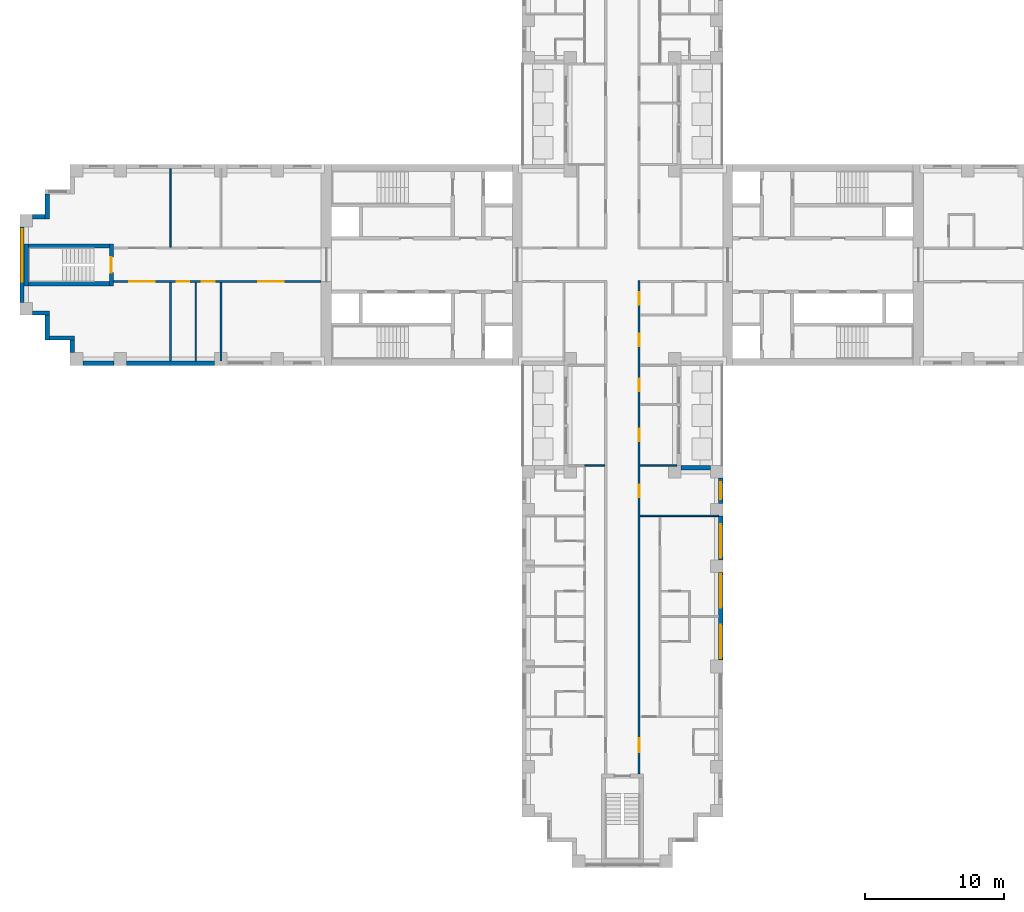
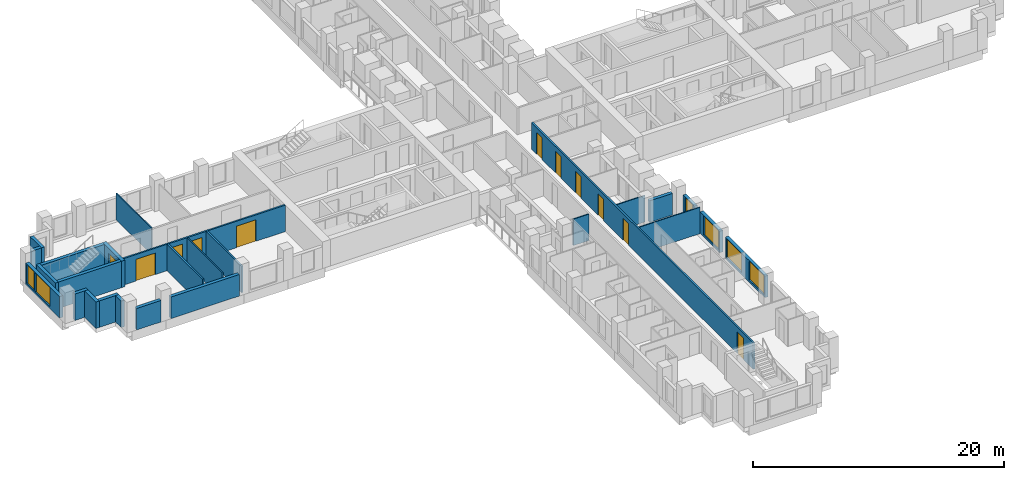
# One storey, part 5 of 15: 26 walls, 11 doors, 6 windows, 17 openings.
"""IFC4 building model written with IfcOpenShell, lengths in metres."""

from ifc_helpers import new_model, si_unit, direction, frame, frame_2d, origin, place, context, subcontext, project, spatial, rectangle, extrude, material, layer, layer_set, type_object, element, fill, save


model = new_model("IFC4")

# Units and contexts
model_context = context("Model", 3, precision=1e-05, world=origin(), true_north=direction((0.0, 1.0)))
body_context = subcontext(model_context, "Body", "Model", "MODEL_VIEW")
ifc_project = project(units=[si_unit("LENGTHUNIT", "METRE"), si_unit("AREAUNIT", "SQUARE_METRE"), si_unit("VOLUMEUNIT", "CUBIC_METRE"), si_unit("PLANEANGLEUNIT", "RADIAN"), si_unit("MASSUNIT", "GRAM", prefix="KILO")], contexts=[model_context])

# Site, building, storey
site_placement = place(None, origin())
site = spatial("IfcSite", under=ifc_project, at=site_placement, CompositionType="ELEMENT")
building_placement = place(site_placement, origin())
building = spatial("IfcBuilding", under=site, at=building_placement, Name="Fustian Cross Tower", CompositionType="ELEMENT")
storey_placement = place(building_placement, frame((0.0, 0.0, 14.699951171875)))
storey = spatial("IfcBuildingStorey", under=building, at=storey_placement, Name="L03", CompositionType="ELEMENT", Elevation=14.699951171875)

# Wall, openings, doors
ifc_material_1 = material(Name="Plasterboard on steel stud", Category="steel")
ifc_layer_1 = layer(ifc_material_1, 0.14990234375)
ifc_layer_set_1 = layer_set([ifc_layer_1], Name="Plasterboard on steel stud")
wall_type_1 = type_object("IfcWallType", Name="COMPARTMENT WALL 150 EI 60", PredefinedType="PARTITIONING", material=ifc_layer_set_1)
wall_1_placement = place(storey_placement, frame((-36.5, -1.199951171875, 0.0), z_axis=(0.0, 0.0, 1.0), x_axis=(1.0, 0.0, 0.0)))
wall_1 = element("IfcWall", 1, at=wall_1_placement, inside=storey, type_object=wall_type_1, Name="Partition 1", PredefinedType="PARTITIONING", context=body_context, shape_type="SweptSolid", body=[
    extrude(rectangle(XDim=14.89990234375, YDim=0.14990234375, at=frame_2d((7.449951171875, 0.0))), origin(), (0.0, 0.0, 1.0), 2.574951171875),
])
opening_1_placement = place(wall_1_placement, frame((10.39990234375, 0.0, 0.0)))
opening_1 = element("IfcOpeningElement", 2, at=opening_1_placement, cuts=wall_1, Name="Opening D04048", PredefinedType="OPENING", context=body_context, shape_type="SweptSolid", body=[
    extrude(rectangle(XDim=1.800048828125, YDim=2.10009765625, at=frame_2d((0.89990234375, 1.050048828125))), frame((0.0, 0.0849609375, 0.0), z_axis=(0.0, -1.0, 0.0), x_axis=(1.0, 0.0, 0.0)), (0.0, 0.0, 1.0), 0.169921875),
])
opening_2_placement = place(wall_1_placement, frame((6.35009765625, 0.0, 0.0)))
opening_2 = element("IfcOpeningElement", 3, at=opening_2_placement, cuts=wall_1, Name="Opening D04049", PredefinedType="OPENING", context=body_context, shape_type="SweptSolid", body=[
    extrude(rectangle(XDim=0.89990234375, YDim=2.10009765625, at=frame_2d((0.449951171875, 1.050048828125))), frame((0.0, 0.0849609375, 0.0), z_axis=(0.0, -1.0, 0.0), x_axis=(1.0, 0.0, 0.0)), (0.0, 0.0, 1.0), 0.169921875),
])
opening_3_placement = place(wall_1_placement, frame((4.550048828125, 0.0, 0.0)))
opening_3 = element("IfcOpeningElement", 4, at=opening_3_placement, cuts=wall_1, Name="Opening D04050", PredefinedType="OPENING", context=body_context, shape_type="SweptSolid", body=[
    extrude(rectangle(XDim=0.89990234375, YDim=2.10009765625, at=frame_2d((0.449951171875, 1.050048828125))), frame((0.0, 0.0849609375, 0.0), z_axis=(0.0, -1.0, 0.0), x_axis=(1.0, 0.0, 0.0)), (0.0, 0.0, 1.0), 0.169921875),
])
opening_4_placement = place(wall_1_placement, frame((1.14990234375, 0.0, 0.0)))
opening_4 = element("IfcOpeningElement", 5, at=opening_4_placement, cuts=wall_1, Name="Opening D04051", PredefinedType="OPENING", context=body_context, shape_type="SweptSolid", body=[
    extrude(rectangle(XDim=1.800048828125, YDim=2.10009765625, at=frame_2d((0.89990234375, 1.050048828125))), frame((0.0, 0.0849609375, 0.0), z_axis=(0.0, -1.0, 0.0), x_axis=(1.0, 0.0, 0.0)), (0.0, 0.0, 1.0), 0.169921875),
])
ifc_material_2 = material(Name="Timber fire door set", Category="wood")
door_type_1 = type_object("IfcDoorType", Name="FIRE DOUBLE DOOR 1800 FD30S", OperationType="DOUBLE_DOOR_DOUBLE_SWING", PredefinedType="DOOR", material=ifc_material_2)
door_1_placement = place(opening_1_placement, origin())
door_1 = element("IfcDoor", 6, at=door_1_placement, inside=storey, type_object=door_type_1, Name="Door D04048", OperationType="DOUBLE_DOOR_DOUBLE_SWING", OverallHeight=2.10009765625, OverallWidth=1.800048828125, PredefinedType="DOOR", context=body_context, shape_type="SweptSolid", body=[
    extrude(rectangle(XDim=1.800048828125, YDim=2.10009765625, at=frame_2d((0.89990234375, 1.050048828125))), frame((0.0, 0.02490234375, 0.0), z_axis=(0.0, -1.0, 0.0), x_axis=(1.0, 0.0, 0.0)), (0.0, 0.0, 1.0), 0.050048828125),
])
fill(opening_1, door_1)
door_2_placement = place(opening_4_placement, origin())
door_2 = element("IfcDoor", 7, at=door_2_placement, inside=storey, type_object=door_type_1, Name="Door D04051", OperationType="DOUBLE_DOOR_DOUBLE_SWING", OverallHeight=2.10009765625, OverallWidth=1.800048828125, PredefinedType="DOOR", context=body_context, shape_type="SweptSolid", body=[
    extrude(rectangle(XDim=1.800048828125, YDim=2.10009765625, at=frame_2d((0.89990234375, 1.050048828125))), frame((0.0, 0.02490234375, 0.0), z_axis=(0.0, -1.0, 0.0), x_axis=(1.0, 0.0, 0.0)), (0.0, 0.0, 1.0), 0.050048828125),
])
fill(opening_4, door_2)
ifc_material_3 = material(Name="Timber fire door set", Category="wood")
door_type_2 = type_object("IfcDoorType", Name="FIRE SWING DOOR 900 FD30S", OperationType="SINGLE_SWING_LEFT", PredefinedType="DOOR", material=ifc_material_3)
door_3_placement = place(opening_2_placement, frame((0.89990234375, 0.0, 0.0), z_axis=(0.0, 0.0, 1.0), x_axis=(-1.0, 0.0, 0.0)))
door_3 = element("IfcDoor", 8, at=door_3_placement, inside=storey, type_object=door_type_2, Name="Door D04049", OperationType="SINGLE_SWING_LEFT", OverallHeight=2.10009765625, OverallWidth=0.89990234375, PredefinedType="DOOR", context=body_context, shape_type="SweptSolid", body=[
    extrude(rectangle(XDim=0.89990234375, YDim=2.10009765625, at=frame_2d((0.449951171875, 1.050048828125))), frame((0.0, 0.02490234375, 0.0), z_axis=(0.0, -1.0, 0.0), x_axis=(1.0, 0.0, 0.0)), (0.0, 0.0, 1.0), 0.050048828125),
])
fill(opening_2, door_3)
door_4_placement = place(opening_3_placement, frame((0.89990234375, 0.0, 0.0), z_axis=(0.0, 0.0, 1.0), x_axis=(-1.0, 0.0, 0.0)))
door_4 = element("IfcDoor", 9, at=door_4_placement, inside=storey, type_object=door_type_2, Name="Door D04050", OperationType="SINGLE_SWING_LEFT", OverallHeight=2.10009765625, OverallWidth=0.89990234375, PredefinedType="DOOR", context=body_context, shape_type="SweptSolid", body=[
    extrude(rectangle(XDim=0.89990234375, YDim=2.10009765625, at=frame_2d((0.449951171875, 1.050048828125))), frame((0.0, 0.02490234375, 0.0), z_axis=(0.0, -1.0, 0.0), x_axis=(1.0, 0.0, 0.0)), (0.0, 0.0, 1.0), 0.050048828125),
])
fill(opening_3, door_4)

# Walls
for number, where, z_axis, x_axis, name in (
    (10, (-32.39990234375, -6.89990234375, 0.0), (0.0, 0.0, 1.0), (0.0, 1.0, 0.0), "Partition 3"),
    (11, (-28.800048828125, -6.89990234375, 0.0), (0.0, 0.0, 1.0), (0.0, 1.0, 0.0), "Partition 6"),
):
    element("IfcWall", number, at=place(storey_placement, frame(where, z_axis=z_axis, x_axis=x_axis)), inside=storey, type_object=wall_type_1, Name=name, PredefinedType="PARTITIONING", context=body_context, shape_type="SweptSolid", body=[
        extrude(rectangle(XDim=5.625, YDim=0.14990234375, at=frame_2d((2.8125, 0.0))), origin(), (0.0, 0.0, 1.0), 2.574951171875),
    ])

# Wall, openings, doors
wall_2_placement = place(storey_placement, frame((1.199951171875, -36.5, 0.0), z_axis=(0.0, 0.0, 1.0), x_axis=(0.0, 1.0, 0.0)))
wall_2 = element("IfcWall", 12, at=wall_2_placement, inside=storey, type_object=wall_type_1, Name="Partition 56", PredefinedType="PARTITIONING", context=body_context, shape_type="SweptSolid", body=[
    extrude(rectangle(XDim=35.375, YDim=0.14990234375, at=frame_2d((17.6875, 0.0))), origin(), (0.0, 0.0, 1.0), 2.574951171875),
])
opening_5_placement = place(wall_2_placement, frame((33.64990234375, 0.0, 0.0)))
opening_5 = element("IfcOpeningElement", 13, at=opening_5_placement, cuts=wall_2, Name="Opening D04005", PredefinedType="OPENING", context=body_context, shape_type="SweptSolid", body=[
    extrude(rectangle(XDim=0.89990234375, YDim=2.10009765625, at=frame_2d((0.449951171875, 1.050048828125))), frame((0.0, 0.0849609375, 0.0), z_axis=(0.0, -1.0, 0.0), x_axis=(1.0, 0.0, 0.0)), (0.0, 0.0, 1.0), 0.169921875),
])
opening_6_placement = place(wall_2_placement, frame((30.64990234375, 0.0, 0.0)))
opening_6 = element("IfcOpeningElement", 14, at=opening_6_placement, cuts=wall_2, Name="Opening D04007", PredefinedType="OPENING", context=body_context, shape_type="SweptSolid", body=[
    extrude(rectangle(XDim=0.89990234375, YDim=2.10009765625, at=frame_2d((0.449951171875, 1.050048828125))), frame((0.0, 0.0849609375, 0.0), z_axis=(0.0, -1.0, 0.0), x_axis=(1.0, 0.0, 0.0)), (0.0, 0.0, 1.0), 0.169921875),
])
opening_7_placement = place(wall_2_placement, frame((27.449951171875, 0.0, 0.0)))
opening_7 = element("IfcOpeningElement", 15, at=opening_7_placement, cuts=wall_2, Name="Opening D04055", PredefinedType="OPENING", context=body_context, shape_type="SweptSolid", body=[
    extrude(rectangle(XDim=0.89990234375, YDim=2.10009765625, at=frame_2d((0.449951171875, 1.050048828125))), frame((0.0, 0.0849609375, 0.0), z_axis=(0.0, -1.0, 0.0), x_axis=(1.0, 0.0, 0.0)), (0.0, 0.0, 1.0), 0.169921875),
])
opening_8_placement = place(wall_2_placement, frame((23.85009765625, 0.0, 0.0)))
opening_8 = element("IfcOpeningElement", 16, at=opening_8_placement, cuts=wall_2, Name="Opening D04056", PredefinedType="OPENING", context=body_context, shape_type="SweptSolid", body=[
    extrude(rectangle(XDim=0.89990234375, YDim=2.10009765625, at=frame_2d((0.449951171875, 1.050048828125))), frame((0.0, 0.0849609375, 0.0), z_axis=(0.0, -1.0, 0.0), x_axis=(1.0, 0.0, 0.0)), (0.0, 0.0, 1.0), 0.169921875),
])
opening_9_placement = place(wall_2_placement, frame((19.85009765625, 0.0, 0.0)))
opening_9 = element("IfcOpeningElement", 17, at=opening_9_placement, cuts=wall_2, Name="Opening D04057", PredefinedType="OPENING", context=body_context, shape_type="SweptSolid", body=[
    extrude(rectangle(XDim=0.89990234375, YDim=2.10009765625, at=frame_2d((0.449951171875, 1.050048828125))), frame((0.0, 0.0849609375, 0.0), z_axis=(0.0, -1.0, 0.0), x_axis=(1.0, 0.0, 0.0)), (0.0, 0.0, 1.0), 0.169921875),
])
opening_10_placement = place(wall_2_placement, frame((1.550048828125, 0.0, 0.0)))
opening_10 = element("IfcOpeningElement", 18, at=opening_10_placement, cuts=wall_2, Name="Opening D04059", PredefinedType="OPENING", context=body_context, shape_type="SweptSolid", body=[
    extrude(rectangle(XDim=1.0, YDim=2.10009765625, at=frame_2d((0.5, 1.050048828125))), frame((0.0, 0.0849609375, 0.0), z_axis=(0.0, -1.0, 0.0), x_axis=(1.0, 0.0, 0.0)), (0.0, 0.0, 1.0), 0.169921875),
])
ifc_material_4 = material(Name="Timber fire door set", Category="wood")
door_type_3 = type_object("IfcDoorType", Name="FIRE SWING DOOR 1000 FD30S", OperationType="SINGLE_SWING_LEFT", PredefinedType="DOOR", material=ifc_material_4)
door_5_placement = place(opening_10_placement, frame((1.0, 0.0, 0.0), z_axis=(0.0, 0.0, 1.0), x_axis=(-1.0, 0.0, 0.0)))
door_5 = element("IfcDoor", 19, at=door_5_placement, inside=storey, type_object=door_type_3, Name="Door D04059", OperationType="SINGLE_SWING_LEFT", OverallHeight=2.10009765625, OverallWidth=1.0, PredefinedType="DOOR", context=body_context, shape_type="SweptSolid", body=[
    extrude(rectangle(XDim=1.0, YDim=2.10009765625, at=frame_2d((0.5, 1.050048828125))), frame((0.0, 0.02490234375, 0.0), z_axis=(0.0, -1.0, 0.0), x_axis=(1.0, 0.0, 0.0)), (0.0, 0.0, 1.0), 0.050048828125),
])
fill(opening_10, door_5)
door_6_placement = place(opening_5_placement, frame((0.89990234375, 0.0, 0.0), z_axis=(0.0, 0.0, 1.0), x_axis=(-1.0, 0.0, 0.0)))
door_6 = element("IfcDoor", 20, at=door_6_placement, inside=storey, type_object=door_type_2, Name="Door D04005", OperationType="SINGLE_SWING_RIGHT", OverallHeight=2.10009765625, OverallWidth=0.89990234375, PredefinedType="DOOR", context=body_context, shape_type="SweptSolid", body=[
    extrude(rectangle(XDim=0.89990234375, YDim=2.10009765625, at=frame_2d((0.449951171875, 1.050048828125))), frame((0.0, 0.02490234375, 0.0), z_axis=(0.0, -1.0, 0.0), x_axis=(1.0, 0.0, 0.0)), (0.0, 0.0, 1.0), 0.050048828125),
])
fill(opening_5, door_6)
door_7_placement = place(opening_6_placement, frame((0.89990234375, 0.0, 0.0), z_axis=(0.0, 0.0, 1.0), x_axis=(-1.0, 0.0, 0.0)))
door_7 = element("IfcDoor", 21, at=door_7_placement, inside=storey, type_object=door_type_2, Name="Door D04007", OperationType="SINGLE_SWING_RIGHT", OverallHeight=2.10009765625, OverallWidth=0.89990234375, PredefinedType="DOOR", context=body_context, shape_type="SweptSolid", body=[
    extrude(rectangle(XDim=0.89990234375, YDim=2.10009765625, at=frame_2d((0.449951171875, 1.050048828125))), frame((0.0, 0.02490234375, 0.0), z_axis=(0.0, -1.0, 0.0), x_axis=(1.0, 0.0, 0.0)), (0.0, 0.0, 1.0), 0.050048828125),
])
fill(opening_6, door_7)
door_8_placement = place(opening_7_placement, frame((0.89990234375, 0.0, 0.0), z_axis=(0.0, 0.0, 1.0), x_axis=(-1.0, 0.0, 0.0)))
door_8 = element("IfcDoor", 22, at=door_8_placement, inside=storey, type_object=door_type_2, Name="Door D04055", OperationType="SINGLE_SWING_RIGHT", OverallHeight=2.10009765625, OverallWidth=0.89990234375, PredefinedType="DOOR", context=body_context, shape_type="SweptSolid", body=[
    extrude(rectangle(XDim=0.89990234375, YDim=2.10009765625, at=frame_2d((0.449951171875, 1.050048828125))), frame((0.0, 0.02490234375, 0.0), z_axis=(0.0, -1.0, 0.0), x_axis=(1.0, 0.0, 0.0)), (0.0, 0.0, 1.0), 0.050048828125),
])
fill(opening_7, door_8)
door_9_placement = place(opening_8_placement, frame((0.89990234375, 0.0, 0.0), z_axis=(0.0, 0.0, 1.0), x_axis=(-1.0, 0.0, 0.0)))
door_9 = element("IfcDoor", 23, at=door_9_placement, inside=storey, type_object=door_type_2, Name="Door D04056", OperationType="SINGLE_SWING_RIGHT", OverallHeight=2.10009765625, OverallWidth=0.89990234375, PredefinedType="DOOR", context=body_context, shape_type="SweptSolid", body=[
    extrude(rectangle(XDim=0.89990234375, YDim=2.10009765625, at=frame_2d((0.449951171875, 1.050048828125))), frame((0.0, 0.02490234375, 0.0), z_axis=(0.0, -1.0, 0.0), x_axis=(1.0, 0.0, 0.0)), (0.0, 0.0, 1.0), 0.050048828125),
])
fill(opening_8, door_9)
door_10_placement = place(opening_9_placement, frame((0.89990234375, 0.0, 0.0), z_axis=(0.0, 0.0, 1.0), x_axis=(-1.0, 0.0, 0.0)))
door_10 = element("IfcDoor", 24, at=door_10_placement, inside=storey, type_object=door_type_2, Name="Door D04057", OperationType="SINGLE_SWING_RIGHT", OverallHeight=2.10009765625, OverallWidth=0.89990234375, PredefinedType="DOOR", context=body_context, shape_type="SweptSolid", body=[
    extrude(rectangle(XDim=0.89990234375, YDim=2.10009765625, at=frame_2d((0.449951171875, 1.050048828125))), frame((0.0, 0.02490234375, 0.0), z_axis=(0.0, -1.0, 0.0), x_axis=(1.0, 0.0, 0.0)), (0.0, 0.0, 1.0), 0.050048828125),
])
fill(opening_9, door_10)

# Walls
ifc_material_5 = material(Name="Plasterboard on steel stud", Category="steel")
ifc_layer_2 = layer(ifc_material_5, 0.10009765625)
ifc_layer_set_2 = layer_set([ifc_layer_2], Name="Plasterboard on steel stud")
wall_type_2 = type_object("IfcWallType", Name="PARTITION 100 STUD", PredefinedType="PARTITIONING", material=ifc_layer_set_2)
for number, where, z_axis, x_axis, name in (
    (25, (-32.39990234375, 1.27490234375, 0.0), (0.0, 0.0, 1.0), (0.0, 1.0, 0.0), "Partition 4"),
    (26, (-30.60009765625, -6.89990234375, 0.0), (0.0, 0.0, 1.0), (0.0, 1.0, 0.0), "Partition 5"),
):
    element("IfcWall", number, at=place(storey_placement, frame(where, z_axis=z_axis, x_axis=x_axis)), inside=storey, type_object=wall_type_2, Name=name, PredefinedType="PARTITIONING", context=body_context, shape_type="SweptSolid", body=[
        extrude(rectangle(XDim=5.625, YDim=0.10009765625, at=frame_2d((2.8125, 0.0))), origin(), (0.0, 0.0, 1.0), 2.574951171875),
    ])
wall_3_placement = place(storey_placement, frame((-2.699951171875, -14.39990234375, 0.0), z_axis=(0.0, 0.0, 1.0), x_axis=(1.0, 0.0, 0.0)))
element("IfcWall", 27, at=wall_3_placement, inside=storey, type_object=wall_type_2, Name="Partition 51", PredefinedType="PARTITIONING", context=body_context, shape_type="SweptSolid", body=[
    extrude(rectangle(XDim=1.425048828125, YDim=0.10009765625, at=frame_2d((0.71240234375, 0.0))), origin(), (0.0, 0.0, 1.0), 2.574951171875),
])
wall_4_placement = place(storey_placement, frame((1.27490234375, -18.0, 0.0), z_axis=(0.0, 0.0, 1.0), x_axis=(1.0, 0.0, 0.0)))
element("IfcWall", 28, at=wall_4_placement, inside=storey, type_object=wall_type_2, Name="Partition 58", PredefinedType="PARTITIONING", context=body_context, shape_type="SweptSolid", body=[
    extrude(rectangle(XDim=5.625, YDim=0.10009765625, at=frame_2d((2.8125, 0.0))), origin(), (0.0, 0.0, 1.0), 2.574951171875),
])
wall_5_placement = place(storey_placement, frame((1.27490234375, -14.39990234375, 0.0), z_axis=(0.0, 0.0, 1.0), x_axis=(1.0, 0.0, 0.0)))
element("IfcWall", 29, at=wall_5_placement, inside=storey, type_object=wall_type_2, Name="Partition 59", PredefinedType="PARTITIONING", context=body_context, shape_type="SweptSolid", body=[
    extrude(rectangle(XDim=2.625, YDim=0.10009765625, at=frame_2d((1.3125, 0.0))), origin(), (0.0, 0.0, 1.0), 2.574951171875),
])

# Wall, opening, door
ifc_material_6 = material(Name="Concrete C50/60", Category="concrete")
ifc_layer_3 = layer(ifc_material_6, 0.300048828125)
ifc_layer_set_3 = layer_set([ifc_layer_3], Name="Concrete C50/60")
wall_type_3 = type_object("IfcWallType", Name="STAIR ENCLOSURE WALL 300 C50/60", PredefinedType="SHEAR", material=ifc_layer_set_3)
wall_6_placement = place(storey_placement, frame((-36.64990234375, -1.5, 0.0), z_axis=(0.0, 0.0, 1.0), x_axis=(0.0, 1.0, 0.0)))
wall_6 = element("IfcWall", 30, at=wall_6_placement, inside=storey, type_object=wall_type_3, Name="Stair enclosure wall", PredefinedType="SHEAR", context=body_context, shape_type="SweptSolid", body=[
    extrude(rectangle(XDim=3.0, YDim=0.300048828125, at=frame_2d((1.5, 0.0))), origin(), (0.0, 0.0, 1.0), 2.574951171875),
])
opening_11_placement = place(wall_6_placement, frame((0.949951171875, 0.0, 0.0)))
opening_11 = element("IfcOpeningElement", 31, at=opening_11_placement, cuts=wall_6, Name="Opening CD-04-32", PredefinedType="OPENING", context=body_context, shape_type="SweptSolid", body=[
    extrude(rectangle(XDim=1.10009765625, YDim=2.10009765625, at=frame_2d((0.550048828125, 1.050048828125))), frame((0.0, 0.159912109375, 0.0), z_axis=(0.0, -1.0, 0.0), x_axis=(1.0, 0.0, 0.0)), (0.0, 0.0, 1.0), 0.320068359375),
])
ifc_material_7 = material(Name="Steel", Category="steel")
door_type_4 = type_object("IfcDoorType", Name="FIRE DOOR FD60S 1100X2100", OperationType="SINGLE_SWING_LEFT", PredefinedType="DOOR", material=ifc_material_7)
door_11_placement = place(opening_11_placement, origin())
door_11 = element("IfcDoor", 32, at=door_11_placement, inside=storey, type_object=door_type_4, Name="Core door CD-04-32", OperationType="SINGLE_SWING_LEFT", OverallHeight=2.10009765625, OverallWidth=1.10009765625, PredefinedType="DOOR", context=body_context, shape_type="SweptSolid", body=[
    extrude(rectangle(XDim=1.10009765625, YDim=2.10009765625, at=frame_2d((0.550048828125, 1.050048828125))), frame((0.0, 0.02490234375, 0.0), z_axis=(0.0, -1.0, 0.0), x_axis=(1.0, 0.0, 0.0)), (0.0, 0.0, 1.0), 0.050048828125),
])
fill(opening_11, door_11)

# Walls
wall_7_placement = place(storey_placement, frame((-42.75, -1.5, 0.0), z_axis=(0.0, 0.0, 1.0), x_axis=(0.0, 1.0, 0.0)))
element("IfcWall", 33, at=wall_7_placement, inside=storey, type_object=wall_type_3, Name="Stair enclosure wall", PredefinedType="SHEAR", context=body_context, shape_type="SweptSolid", body=[
    extrude(rectangle(XDim=3.0, YDim=0.300048828125, at=frame_2d((1.5, 0.0))), origin(), (0.0, 0.0, 1.0), 2.574951171875),
])
for number, where, z_axis, x_axis, name in (
    (34, (-36.800048828125, -1.35009765625, 0.0), (0.0, 0.0, 1.0), (-1.0, 0.0, 0.0), "Stair enclosure wall"),
    (35, (-36.800048828125, 1.35009765625, 0.0), (0.0, 0.0, 1.0), (-1.0, 0.0, 0.0), "Stair enclosure wall"),
):
    element("IfcWall", number, at=place(storey_placement, frame(where, z_axis=z_axis, x_axis=x_axis)), inside=storey, type_object=wall_type_3, Name=name, PredefinedType="SHEAR", context=body_context, shape_type="SweptSolid", body=[
        extrude(rectangle(XDim=5.800048828125, YDim=0.300048828125, at=frame_2d((2.89990234375, 0.0))), origin(), (0.0, 0.0, 1.0), 2.574951171875),
    ])
ifc_material_8 = material(Name="Dark aluminium cladding on insulated backing wall", Category="aluminium")
ifc_layer_4 = layer(ifc_material_8, 0.300048828125)
ifc_layer_set_4 = layer_set([ifc_layer_4], Name="Dark aluminium cladding on insulated backing wall")
wall_type_4 = type_object("IfcWallType", Name="XW1 EXTERNAL WALL 300", PredefinedType="SOLIDWALL", material=ifc_layer_set_4)
wall_8_placement = place(storey_placement, frame((-41.25, 5.10009765625, 0.0), z_axis=(0.0, 0.0, 1.0), x_axis=(0.0, -1.0, 0.0)))
element("IfcWall", 36, at=wall_8_placement, inside=storey, type_object=wall_type_4, Name="External wall", PredefinedType="SOLIDWALL", context=body_context, shape_type="SweptSolid", body=[
    extrude(rectangle(XDim=1.800048828125, YDim=0.300048828125, at=frame_2d((0.89990234375, 0.0))), origin(), (0.0, 0.0, 1.0), 2.574951171875),
])
wall_9_placement = place(storey_placement, frame((-41.39990234375, 3.449951171875, 0.0), z_axis=(0.0, 0.0, 1.0), x_axis=(-1.0, 0.0, 0.0)))
element("IfcWall", 37, at=wall_9_placement, inside=storey, type_object=wall_type_4, Name="External wall", PredefinedType="SOLIDWALL", context=body_context, shape_type="SweptSolid", body=[
    extrude(rectangle(XDim=0.900146484375, YDim=0.300048828125, at=frame_2d((0.4501953125, 0.0))), origin(), (0.0, 0.0, 1.0), 2.574951171875),
])

# Wall, openings, windows
wall_10_placement = place(storey_placement, frame((-43.050048828125, 2.699951171875, 0.0), z_axis=(0.0, 0.0, 1.0), x_axis=(0.0, -1.0, 0.0)))
wall_10 = element("IfcWall", 38, at=wall_10_placement, inside=storey, type_object=wall_type_4, Name="External wall", PredefinedType="SOLIDWALL", context=body_context, shape_type="SweptSolid", body=[
    extrude(rectangle(XDim=5.39990234375, YDim=0.300048828125, at=frame_2d((2.699951171875, 0.0))), origin(), (0.0, 0.0, 1.0), 2.10009765625),
])
opening_12_placement = place(wall_10_placement, frame((1.5, 0.0, 0.199951171875)))
opening_12 = element("IfcOpeningElement", 39, at=opening_12_placement, cuts=wall_10, Name="Opening WN1", PredefinedType="OPENING", context=body_context, shape_type="SweptSolid", body=[
    extrude(rectangle(XDim=2.39990234375, YDim=1.85009765625, at=frame_2d((1.199951171875, 0.925048828125))), frame((0.0, 0.159912109375, 0.0), z_axis=(0.0, -1.0, 0.0), x_axis=(1.0, 0.0, 0.0)), (0.0, 0.0, 1.0), 0.320068359375),
])
opening_13_placement = place(wall_10_placement, frame((0.14990234375, 0.0, 0.199951171875)))
opening_13 = element("IfcOpeningElement", 40, at=opening_13_placement, cuts=wall_10, Name="Opening WN3", PredefinedType="OPENING", context=body_context, shape_type="SweptSolid", body=[
    extrude(rectangle(XDim=1.199951171875, YDim=1.85009765625, at=frame_2d((0.60009765625, 0.925048828125))), frame((0.0, 0.159912109375, 0.0), z_axis=(0.0, -1.0, 0.0), x_axis=(1.0, 0.0, 0.0)), (0.0, 0.0, 1.0), 0.320068359375),
])
ifc_material_9 = material(Name="Dark anodised aluminium and double glazing", Category="aluminium")
window_type_1 = type_object("IfcWindowType", Name="WN1 WINDOW 2400X1850", PartitioningType="SINGLE_PANEL", PredefinedType="WINDOW", material=ifc_material_9)
window_1_placement = place(opening_12_placement, origin())
window_1 = element("IfcWindow", 41, at=window_1_placement, inside=storey, type_object=window_type_1, Name="Window", OverallHeight=1.85009765625, OverallWidth=2.39990234375, PartitioningType="SINGLE_PANEL", PredefinedType="WINDOW", context=body_context, shape_type="SweptSolid", body=[
    extrude(rectangle(XDim=2.39990234375, YDim=1.85009765625, at=frame_2d((1.199951171875, 0.925048828125))), frame((0.0, 0.030029296875, 0.0), z_axis=(0.0, -1.0, 0.0), x_axis=(1.0, 0.0, 0.0)), (0.0, 0.0, 1.0), 0.06005859375),
])
fill(opening_12, window_1)
ifc_material_10 = material(Name="Dark anodised aluminium and double glazing", Category="aluminium")
window_type_2 = type_object("IfcWindowType", Name="WN3 WINDOW 1200X1850", PartitioningType="SINGLE_PANEL", PredefinedType="WINDOW", material=ifc_material_10)
window_2_placement = place(opening_13_placement, origin())
window_2 = element("IfcWindow", 42, at=window_2_placement, inside=storey, type_object=window_type_2, Name="Window", OverallHeight=1.85009765625, OverallWidth=1.199951171875, PartitioningType="SINGLE_PANEL", PredefinedType="WINDOW", context=body_context, shape_type="SweptSolid", body=[
    extrude(rectangle(XDim=1.199951171875, YDim=1.85009765625, at=frame_2d((0.60009765625, 0.925048828125))), frame((0.0, 0.030029296875, 0.0), z_axis=(0.0, -1.0, 0.0), x_axis=(1.0, 0.0, 0.0)), (0.0, 0.0, 1.0), 0.06005859375),
])
fill(opening_13, window_2)

# Walls
wall_11_placement = place(storey_placement, frame((-42.300048828125, -3.449951171875, 0.0), z_axis=(0.0, 0.0, 1.0), x_axis=(1.0, 0.0, 0.0)))
element("IfcWall", 43, at=wall_11_placement, inside=storey, type_object=wall_type_4, Name="External wall", PredefinedType="SOLIDWALL", context=body_context, shape_type="SweptSolid", body=[
    extrude(rectangle(XDim=1.199951171875, YDim=0.300048828125, at=frame_2d((0.60009765625, 0.0))), origin(), (0.0, 0.0, 1.0), 2.574951171875),
])
wall_12_placement = place(storey_placement, frame((-41.25, -3.60009765625, 0.0), z_axis=(0.0, 0.0, 1.0), x_axis=(0.0, -1.0, 0.0)))
element("IfcWall", 44, at=wall_12_placement, inside=storey, type_object=wall_type_4, Name="External wall", PredefinedType="SOLIDWALL", context=body_context, shape_type="SweptSolid", body=[
    extrude(rectangle(XDim=1.7998046875, YDim=0.300048828125, at=frame_2d((0.89990234375, 0.0))), origin(), (0.0, 0.0, 1.0), 2.574951171875),
])
wall_13_placement = place(storey_placement, frame((-41.10009765625, -5.25, 0.0), z_axis=(0.0, 0.0, 1.0), x_axis=(1.0, 0.0, 0.0)))
element("IfcWall", 45, at=wall_13_placement, inside=storey, type_object=wall_type_4, Name="External wall", PredefinedType="SOLIDWALL", context=body_context, shape_type="SweptSolid", body=[
    extrude(rectangle(XDim=1.800048828125, YDim=0.300048828125, at=frame_2d((0.89990234375, 0.0))), origin(), (0.0, 0.0, 1.0), 2.574951171875),
])
wall_14_placement = place(storey_placement, frame((-39.449951171875, -5.39990234375, 0.0), z_axis=(0.0, 0.0, 1.0), x_axis=(0.0, -1.0, 0.0)))
element("IfcWall", 46, at=wall_14_placement, inside=storey, type_object=wall_type_4, Name="External wall", PredefinedType="SOLIDWALL", context=body_context, shape_type="SweptSolid", body=[
    extrude(rectangle(XDim=0.900146484375, YDim=0.300048828125, at=frame_2d((0.4501953125, 0.0))), origin(), (0.0, 0.0, 1.0), 2.574951171875),
])
wall_15_placement = place(storey_placement, frame((-38.699951171875, -7.050048828125, 0.0), z_axis=(0.0, 0.0, 1.0), x_axis=(1.0, 0.0, 0.0)))
element("IfcWall", 47, at=wall_15_placement, inside=storey, type_object=wall_type_4, Name="External wall", PredefinedType="SOLIDWALL", context=body_context, shape_type="SweptSolid", body=[
    extrude(rectangle(XDim=2.25, YDim=0.300048828125, at=frame_2d((1.125, 0.0))), origin(), (0.0, 0.0, 1.0), 2.10009765625),
])
wall_16_placement = place(storey_placement, frame((-35.550048828125, -7.050048828125, 0.0), z_axis=(0.0, 0.0, 1.0), x_axis=(1.0, 0.0, 0.0)))
element("IfcWall", 48, at=wall_16_placement, inside=storey, type_object=wall_type_4, Name="External wall", PredefinedType="SOLIDWALL", context=body_context, shape_type="SweptSolid", body=[
    extrude(rectangle(XDim=6.300048828125, YDim=0.300048828125, at=frame_2d((3.14990234375, 0.0))), origin(), (0.0, 0.0, 1.0), 2.10009765625),
])

# Wall, openings, windows
wall_17_placement = place(storey_placement, frame((7.050048828125, -28.35009765625, 0.0), z_axis=(0.0, 0.0, 1.0), x_axis=(0.0, 1.0, 0.0)))
wall_17 = element("IfcWall", 49, at=wall_17_placement, inside=storey, type_object=wall_type_4, Name="External wall", PredefinedType="SOLIDWALL", context=body_context, shape_type="SweptSolid", body=[
    extrude(rectangle(XDim=6.300048828125, YDim=0.300048828125, at=frame_2d((3.14990234375, 0.0))), origin(), (0.0, 0.0, 1.0), 2.10009765625),
])
opening_14_placement = place(wall_17_placement, frame((0.14990234375, 0.0, 0.199951171875)))
opening_14 = element("IfcOpeningElement", 50, at=opening_14_placement, cuts=wall_17, Name="Opening WN1", PredefinedType="OPENING", context=body_context, shape_type="SweptSolid", body=[
    extrude(rectangle(XDim=2.39990234375, YDim=1.85009765625, at=frame_2d((1.199951171875, 0.925048828125))), frame((0.0, 0.159912109375, 0.0), z_axis=(0.0, -1.0, 0.0), x_axis=(1.0, 0.0, 0.0)), (0.0, 0.0, 1.0), 0.320068359375),
])
opening_15_placement = place(wall_17_placement, frame((3.75, 0.0, 0.199951171875)))
opening_15 = element("IfcOpeningElement", 51, at=opening_15_placement, cuts=wall_17, Name="Opening WN1", PredefinedType="OPENING", context=body_context, shape_type="SweptSolid", body=[
    extrude(rectangle(XDim=2.39990234375, YDim=1.85009765625, at=frame_2d((1.199951171875, 0.925048828125))), frame((0.0, 0.159912109375, 0.0), z_axis=(0.0, -1.0, 0.0), x_axis=(1.0, 0.0, 0.0)), (0.0, 0.0, 1.0), 0.320068359375),
])
window_3_placement = place(opening_14_placement, origin())
window_3 = element("IfcWindow", 52, at=window_3_placement, inside=storey, type_object=window_type_1, Name="Window", OverallHeight=1.85009765625, OverallWidth=2.39990234375, PartitioningType="SINGLE_PANEL", PredefinedType="WINDOW", context=body_context, shape_type="SweptSolid", body=[
    extrude(rectangle(XDim=2.39990234375, YDim=1.85009765625, at=frame_2d((1.199951171875, 0.925048828125))), frame((0.0, 0.030029296875, 0.0), z_axis=(0.0, -1.0, 0.0), x_axis=(1.0, 0.0, 0.0)), (0.0, 0.0, 1.0), 0.06005859375),
])
fill(opening_14, window_3)
window_4_placement = place(opening_15_placement, origin())
window_4 = element("IfcWindow", 53, at=window_4_placement, inside=storey, type_object=window_type_1, Name="Window", OverallHeight=1.85009765625, OverallWidth=2.39990234375, PartitioningType="SINGLE_PANEL", PredefinedType="WINDOW", context=body_context, shape_type="SweptSolid", body=[
    extrude(rectangle(XDim=2.39990234375, YDim=1.85009765625, at=frame_2d((1.199951171875, 0.925048828125))), frame((0.0, 0.030029296875, 0.0), z_axis=(0.0, -1.0, 0.0), x_axis=(1.0, 0.0, 0.0)), (0.0, 0.0, 1.0), 0.06005859375),
])
fill(opening_15, window_4)

# Wall, opening, window
wall_18_placement = place(storey_placement, frame((7.050048828125, -21.14990234375, 0.0), z_axis=(0.0, 0.0, 1.0), x_axis=(0.0, 1.0, 0.0)))
wall_18 = element("IfcWall", 54, at=wall_18_placement, inside=storey, type_object=wall_type_4, Name="External wall", PredefinedType="SOLIDWALL", context=body_context, shape_type="SweptSolid", body=[
    extrude(rectangle(XDim=3.14990234375, YDim=0.300048828125, at=frame_2d((1.574951171875, 0.0))), origin(), (0.0, 0.0, 1.0), 2.10009765625),
])
opening_16_placement = place(wall_18_placement, frame((0.14990234375, 0.0, 0.199951171875)))
opening_16 = element("IfcOpeningElement", 55, at=opening_16_placement, cuts=wall_18, Name="Opening WN1", PredefinedType="OPENING", context=body_context, shape_type="SweptSolid", body=[
    extrude(rectangle(XDim=2.39990234375, YDim=1.85009765625, at=frame_2d((1.199951171875, 0.925048828125))), frame((0.0, 0.159912109375, 0.0), z_axis=(0.0, -1.0, 0.0), x_axis=(1.0, 0.0, 0.0)), (0.0, 0.0, 1.0), 0.320068359375),
])
window_5_placement = place(opening_16_placement, origin())
window_5 = element("IfcWindow", 56, at=window_5_placement, inside=storey, type_object=window_type_1, Name="Window", OverallHeight=1.85009765625, OverallWidth=2.39990234375, PartitioningType="SINGLE_PANEL", PredefinedType="WINDOW", context=body_context, shape_type="SweptSolid", body=[
    extrude(rectangle(XDim=2.39990234375, YDim=1.85009765625, at=frame_2d((1.199951171875, 0.925048828125))), frame((0.0, 0.030029296875, 0.0), z_axis=(0.0, -1.0, 0.0), x_axis=(1.0, 0.0, 0.0)), (0.0, 0.0, 1.0), 0.06005859375),
])
fill(opening_16, window_5)

wall_19_placement = place(storey_placement, frame((7.050048828125, -17.10009765625, 0.0), z_axis=(0.0, 0.0, 1.0), x_axis=(0.0, 1.0, 0.0)))
wall_19 = element("IfcWall", 57, at=wall_19_placement, inside=storey, type_object=wall_type_4, Name="External wall", PredefinedType="SOLIDWALL", context=body_context, shape_type="SweptSolid", body=[
    extrude(rectangle(XDim=1.800048828125, YDim=0.300048828125, at=frame_2d((0.89990234375, 0.0))), origin(), (0.0, 0.0, 1.0), 2.10009765625),
])
opening_17_placement = place(wall_19_placement, frame((0.300048828125, 0.0, 0.199951171875)))
opening_17 = element("IfcOpeningElement", 58, at=opening_17_placement, cuts=wall_19, Name="Opening WN3", PredefinedType="OPENING", context=body_context, shape_type="SweptSolid", body=[
    extrude(rectangle(XDim=1.199951171875, YDim=1.85009765625, at=frame_2d((0.60009765625, 0.925048828125))), frame((0.0, 0.159912109375, 0.0), z_axis=(0.0, -1.0, 0.0), x_axis=(1.0, 0.0, 0.0)), (0.0, 0.0, 1.0), 0.320068359375),
])
window_6_placement = place(opening_17_placement, origin())
window_6 = element("IfcWindow", 59, at=window_6_placement, inside=storey, type_object=window_type_2, Name="Window", OverallHeight=1.85009765625, OverallWidth=1.199951171875, PartitioningType="SINGLE_PANEL", PredefinedType="WINDOW", context=body_context, shape_type="SweptSolid", body=[
    extrude(rectangle(XDim=1.199951171875, YDim=1.85009765625, at=frame_2d((0.60009765625, 0.925048828125))), frame((0.0, 0.030029296875, 0.0), z_axis=(0.0, -1.0, 0.0), x_axis=(1.0, 0.0, 0.0)), (0.0, 0.0, 1.0), 0.06005859375),
])
fill(opening_17, window_6)

# Wall
wall_20_placement = place(storey_placement, frame((6.300048828125, -14.550048828125, 0.0), z_axis=(0.0, 0.0, 1.0), x_axis=(-1.0, 0.0, 0.0)))
element("IfcWall", 60, at=wall_20_placement, inside=storey, type_object=wall_type_4, Name="External wall", PredefinedType="SOLIDWALL", context=body_context, shape_type="SweptSolid", body=[
    extrude(rectangle(XDim=2.10009765625, YDim=0.300048828125, at=frame_2d((1.050048828125, 0.0))), origin(), (0.0, 0.0, 1.0), 2.10009765625),
])

save(model, "model.ifc")
